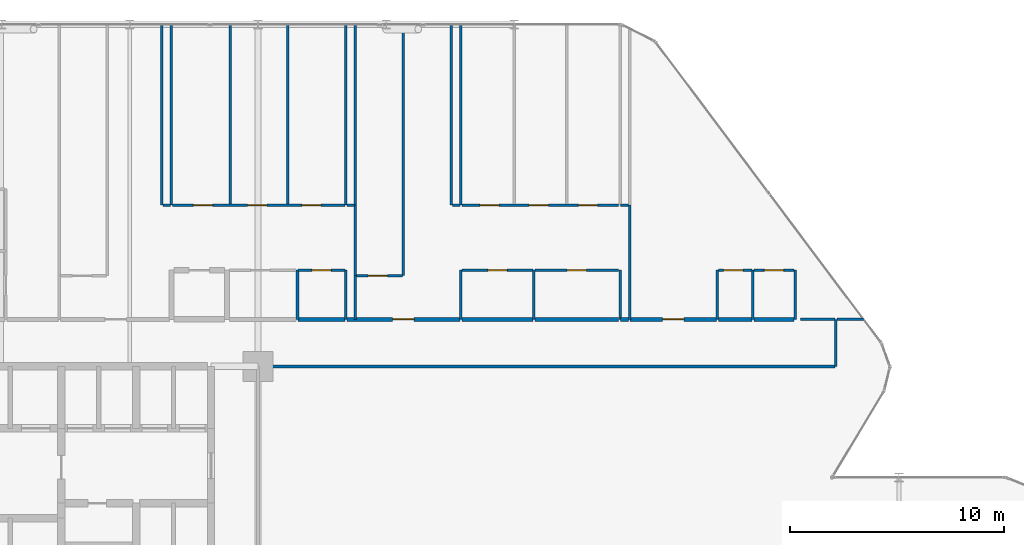
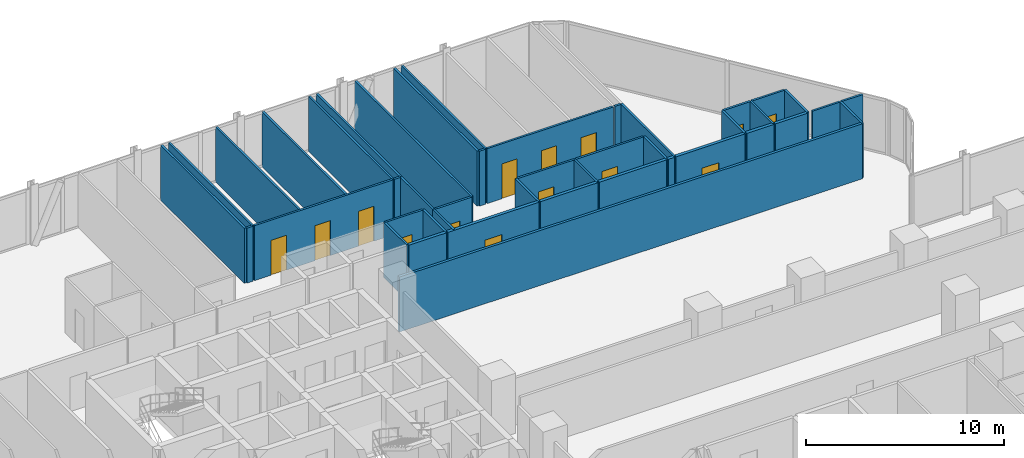
# One storey, part 31 of 33: 44 walls, 14 doors, 14 openings.
"""IFC4 building model written with IfcOpenShell, lengths in metres."""

from ifc_helpers import new_model, si_unit, direction, frame, frame_2d, origin, place, context, subcontext, project, spatial, rectangle, extrude, material, layer, layer_set, type_object, element, fill, save


model = new_model("IFC4")

# Units and contexts
model_context = context("Model", 3, precision=1e-05, world=origin(), true_north=direction((0.0, 1.0)))
body_context = subcontext(model_context, "Body", "Model", "MODEL_VIEW")
ifc_project = project(units=[si_unit("LENGTHUNIT", "METRE"), si_unit("AREAUNIT", "SQUARE_METRE"), si_unit("VOLUMEUNIT", "CUBIC_METRE"), si_unit("PLANEANGLEUNIT", "RADIAN"), si_unit("MASSUNIT", "GRAM", prefix="KILO")], contexts=[model_context])

# Site, building, storey
site_placement = place(None, origin())
site = spatial("IfcSite", under=ifc_project, at=site_placement, CompositionType="ELEMENT")
building_placement = place(site_placement, origin())
building = spatial("IfcBuilding", under=site, at=building_placement, Name="Keshet Zoharim Tower", CompositionType="ELEMENT")
storey_placement = place(building_placement, frame((0.0, 0.0, 35.10009765625)))
storey = spatial("IfcBuildingStorey", under=building, at=storey_placement, Name="L07", CompositionType="ELEMENT", Elevation=35.10009765625)

# Walls
ifc_material_1 = material(Name="Gypsum Plasterboard", Category="gypsum")
ifc_layer_1 = layer(ifc_material_1, 0.14990234375)
ifc_layer_set_1 = layer_set([ifc_layer_1], Name="Gypsum Plasterboard")
wall_type_1 = type_object("IfcWallType", Name="WL-CLIN-150", PredefinedType="STANDARD", material=ifc_layer_set_1)
wall_1_placement = place(storey_placement, frame((33.070068359375, 37.89990234375, 0.0), z_axis=(0.0, 0.0, 1.0), x_axis=(1.0, 0.0, 0.0)))
element("IfcWall", 1, at=wall_1_placement, inside=storey, type_object=wall_type_1, Name="L07 Interior Wall 205", PredefinedType="STANDARD", context=body_context, shape_type="SweptSolid", body=[
    extrude(rectangle(XDim=26.934814453125, YDim=0.14990234375, at=frame_2d((13.46728515625, 0.0))), origin(), (0.0, 0.0, 1.0), 3.385009765625),
])
ifc_layer_2 = layer(ifc_material_1, 0.179931640625)
ifc_layer_set_2 = layer_set([ifc_layer_2], Name="Gypsum Plasterboard")
wall_type_2 = type_object("IfcWallType", Name="WL-CORR-180", PredefinedType="STANDARD", material=ifc_layer_set_2)
wall_2_placement = place(storey_placement, frame((34.873046875, 40.10009765625, 0.0), z_axis=(0.0, 0.0, 1.0), x_axis=(1.0, 0.0, 0.0)))
element("IfcWall", 2, at=wall_2_placement, inside=storey, type_object=wall_type_2, Name="L07 Interior Wall 214", PredefinedType="STANDARD", context=body_context, shape_type="SweptSolid", body=[
    extrude(rectangle(XDim=2.19189453125, YDim=0.179931640625, at=frame_2d((1.095947265625, 0.0))), origin(), (0.0, 0.0, 1.0), 3.385009765625),
])

# Wall, opening, door
wall_3_placement = place(storey_placement, frame((37.155029296875, 40.10009765625, 0.0), z_axis=(0.0, 0.0, 1.0), x_axis=(1.0, 0.0, 0.0)))
wall_3 = element("IfcWall", 3, at=wall_3_placement, inside=storey, type_object=wall_type_2, Name="L07 Interior Wall 215", PredefinedType="STANDARD", context=body_context, shape_type="SweptSolid", body=[
    extrude(rectangle(XDim=5.300048828125, YDim=0.179931640625, at=frame_2d((2.64990234375, 0.0))), origin(), (0.0, 0.0, 1.0), 3.385009765625),
])
opening_1_placement = place(wall_3_placement, frame((2.14990234375, 0.0, 0.0)))
opening_1 = element("IfcOpeningElement", 4, at=opening_1_placement, cuts=wall_3, Name="Opening D-F310", PredefinedType="OPENING", context=body_context, shape_type="SweptSolid", body=[
    extrude(rectangle(XDim=1.0, YDim=2.14990234375, at=frame_2d((0.5, 1.074951171875))), frame((0.0, 0.10009765625, 0.0), z_axis=(0.0, -1.0, 0.0), x_axis=(1.0, 0.0, 0.0)), (0.0, 0.0, 1.0), 0.199951171875),
])
ifc_material_2 = material(Name="Hardwood Timber", Category="wood")
door_type_1 = type_object("IfcDoorType", Name="DR-FD30-100", OperationType="NOTDEFINED", PredefinedType="DOOR", material=ifc_material_2)
door_1_placement = place(opening_1_placement, origin())
door_1 = element("IfcDoor", 5, at=door_1_placement, inside=storey, type_object=door_type_1, Name="Apartment 0707 Entrance Door", OperationType="SINGLE_SWING_LEFT", OverallHeight=2.14990234375, OverallWidth=1.0, PredefinedType="DOOR", context=body_context, shape_type="SweptSolid", body=[
    extrude(rectangle(XDim=1.0, YDim=2.14990234375, at=frame_2d((0.5, 1.074951171875))), frame((0.0, 0.02490234375, 0.0), z_axis=(0.0, -1.0, 0.0), x_axis=(1.0, 0.0, 0.0)), (0.0, 0.0, 1.0), 0.050048828125),
])
fill(opening_1, door_1)

# Walls
wall_4_placement = place(storey_placement, frame((42.544921875, 40.10009765625, 0.0), z_axis=(0.0, 0.0, 1.0), x_axis=(1.0, 0.0, 0.0)))
element("IfcWall", 6, at=wall_4_placement, inside=storey, type_object=wall_type_2, Name="L07 Interior Wall 216", PredefinedType="STANDARD", context=body_context, shape_type="SweptSolid", body=[
    extrude(rectangle(XDim=3.328125, YDim=0.179931640625, at=frame_2d((1.6640625, 0.0))), origin(), (0.0, 0.0, 1.0), 3.385009765625),
])
wall_5_placement = place(storey_placement, frame((45.962890625, 40.10009765625, 0.0), z_axis=(0.0, 0.0, 1.0), x_axis=(1.0, 0.0, 0.0)))
element("IfcWall", 7, at=wall_5_placement, inside=storey, type_object=wall_type_2, Name="L07 Interior Wall 217", PredefinedType="STANDARD", context=body_context, shape_type="SweptSolid", body=[
    extrude(rectangle(XDim=3.922119140625, YDim=0.179931640625, at=frame_2d((1.9609375, 0.0))), origin(), (0.0, 0.0, 1.0), 3.385009765625),
])
wall_6_placement = place(storey_placement, frame((49.97509765625, 40.10009765625, 0.0), z_axis=(0.0, 0.0, 1.0), x_axis=(1.0, 0.0, 0.0)))
element("IfcWall", 8, at=wall_6_placement, inside=storey, type_object=wall_type_2, Name="L07 Interior Wall 218", PredefinedType="STANDARD", context=body_context, shape_type="SweptSolid", body=[
    extrude(rectangle(XDim=0.35986328125, YDim=0.179931640625, at=frame_2d((0.179931640625, 0.0))), origin(), (0.0, 0.0, 1.0), 3.385009765625),
])

# Wall, opening, door
wall_7_placement = place(storey_placement, frame((50.425048828125, 40.10009765625, 0.0), z_axis=(0.0, 0.0, 1.0), x_axis=(1.0, 0.0, 0.0)))
wall_7 = element("IfcWall", 9, at=wall_7_placement, inside=storey, type_object=wall_type_2, Name="L07 Interior Wall 219", PredefinedType="STANDARD", context=body_context, shape_type="SweptSolid", body=[
    extrude(rectangle(XDim=4.030029296875, YDim=0.179931640625, at=frame_2d((2.01513671875, 0.0))), origin(), (0.0, 0.0, 1.0), 3.385009765625),
])
opening_2_placement = place(wall_7_placement, frame((1.514892578125, 0.0, 0.0)))
opening_2 = element("IfcOpeningElement", 10, at=opening_2_placement, cuts=wall_7, Name="Opening D-F310", PredefinedType="OPENING", context=body_context, shape_type="SweptSolid", body=[
    extrude(rectangle(XDim=1.0, YDim=2.14990234375, at=frame_2d((0.5, 1.074951171875))), frame((0.0, 0.10009765625, 0.0), z_axis=(0.0, -1.0, 0.0), x_axis=(1.0, 0.0, 0.0)), (0.0, 0.0, 1.0), 0.199951171875),
])
door_2_placement = place(opening_2_placement, origin())
door_2 = element("IfcDoor", 11, at=door_2_placement, inside=storey, type_object=door_type_1, Name="Apartment 0708 Entrance Door", OperationType="SINGLE_SWING_RIGHT", OverallHeight=2.14990234375, OverallWidth=1.0, PredefinedType="DOOR", context=body_context, shape_type="SweptSolid", body=[
    extrude(rectangle(XDim=1.0, YDim=2.14990234375, at=frame_2d((0.5, 1.074951171875))), frame((0.0, 0.02490234375, 0.0), z_axis=(0.0, -1.0, 0.0), x_axis=(1.0, 0.0, 0.0)), (0.0, 0.0, 1.0), 0.050048828125),
])
fill(opening_2, door_2)

# Walls
wall_8_placement = place(storey_placement, frame((54.544921875, 40.10009765625, 0.0), z_axis=(0.0, 0.0, 1.0), x_axis=(1.0, 0.0, 0.0)))
element("IfcWall", 12, at=wall_8_placement, inside=storey, type_object=wall_type_2, Name="L07 Interior Wall 220", PredefinedType="STANDARD", context=body_context, shape_type="SweptSolid", body=[
    extrude(rectangle(XDim=1.5830078125, YDim=0.179931640625, at=frame_2d((0.79150390625, 0.0))), origin(), (0.0, 0.0, 1.0), 3.385009765625),
])
wall_9_placement = place(storey_placement, frame((56.218017578125, 40.10009765625, 0.0), z_axis=(0.0, 0.0, 1.0), x_axis=(1.0, 0.0, 0.0)))
element("IfcWall", 13, at=wall_9_placement, inside=storey, type_object=wall_type_2, Name="L07 Interior Wall 221", PredefinedType="STANDARD", context=body_context, shape_type="SweptSolid", body=[
    extrude(rectangle(XDim=1.875, YDim=0.179931640625, at=frame_2d((0.9375, 0.0))), origin(), (0.0, 0.0, 1.0), 3.385009765625),
])
ifc_layer_3 = layer(ifc_material_1, 0.1201171875)
ifc_layer_set_3 = layer_set([ifc_layer_3], Name="Gypsum Plasterboard")
wall_type_3 = type_object("IfcWallType", Name="WL-PART-120", PredefinedType="PARTITIONING", material=ifc_layer_set_3)
for number, where, z_axis, x_axis, name in (
    (14, (28.5, 45.449951171875, 0.0), (0.0, 0.0, 1.0), (0.0, 1.0, 0.0), "L07 Interior Wall 053"),
    (15, (28.949951171875, 45.449951171875, 0.0), (0.0, 0.0, 1.0), (0.0, 1.0, 0.0), "L07 Interior Wall 056"),
    (16, (31.699951171875, 45.449951171875, 0.0), (0.0, 0.0, 1.0), (0.0, 1.0, 0.0), "L07 Interior Wall 069"),
    (17, (34.39990234375, 45.449951171875, 0.0), (0.0, 0.0, 1.0), (0.0, 1.0, 0.0), "L07 Interior Wall 074"),
    (18, (37.10009765625, 45.449951171875, 0.0), (0.0, 0.0, 1.0), (0.0, 1.0, 0.0), "L07 Interior Wall 079"),
):
    element("IfcWall", number, at=place(storey_placement, frame(where, z_axis=z_axis, x_axis=x_axis)), inside=storey, type_object=wall_type_3, Name=name, PredefinedType="PARTITIONING", context=body_context, shape_type="SweptSolid", body=[
        extrude(rectangle(XDim=8.43994140625, YDim=0.1201171875, at=frame_2d((4.219970703125, 0.0))), origin(), (0.0, 0.0, 1.0), 3.385009765625),
    ])
wall_10_placement = place(storey_placement, frame((37.550048828125, 40.10009765625, 0.0), z_axis=(0.0, 0.0, 1.0), x_axis=(0.0, 1.0, 0.0)))
element("IfcWall", 19, at=wall_10_placement, inside=storey, type_object=wall_type_3, Name="L07 Interior Wall 080", PredefinedType="PARTITIONING", context=body_context, shape_type="SweptSolid", body=[
    extrude(rectangle(XDim=2.0498046875, YDim=0.1201171875, at=frame_2d((1.02490234375, 0.0))), origin(), (0.0, 0.0, 1.0), 3.385009765625),
])
wall_11_placement = place(storey_placement, frame((37.550048828125, 42.14990234375, 0.0), z_axis=(0.0, 0.0, 1.0), x_axis=(0.0, 1.0, 0.0)))
element("IfcWall", 20, at=wall_11_placement, inside=storey, type_object=wall_type_3, Name="L07 Interior Wall 081", PredefinedType="PARTITIONING", context=body_context, shape_type="SweptSolid", body=[
    extrude(rectangle(XDim=3.300048828125, YDim=0.1201171875, at=frame_2d((1.64990234375, 0.0))), origin(), (0.0, 0.0, 1.0), 3.385009765625),
])
wall_12_placement = place(storey_placement, frame((37.550048828125, 45.449951171875, 0.0), z_axis=(0.0, 0.0, 1.0), x_axis=(0.0, 1.0, 0.0)))
element("IfcWall", 21, at=wall_12_placement, inside=storey, type_object=wall_type_3, Name="L07 Interior Wall 082", PredefinedType="PARTITIONING", context=body_context, shape_type="SweptSolid", body=[
    extrude(rectangle(XDim=8.43994140625, YDim=0.1201171875, at=frame_2d((4.219970703125, 0.0))), origin(), (0.0, 0.0, 1.0), 3.385009765625),
])
wall_13_placement = place(storey_placement, frame((39.800048828125, 42.14990234375, 0.0), z_axis=(0.0, 0.0, 1.0), x_axis=(0.0, 1.0, 0.0)))
element("IfcWall", 22, at=wall_13_placement, inside=storey, type_object=wall_type_3, Name="L07 Interior Wall 088", PredefinedType="PARTITIONING", context=body_context, shape_type="SweptSolid", body=[
    extrude(rectangle(XDim=11.739990234375, YDim=0.1201171875, at=frame_2d((5.8701171875, 0.0))), origin(), (0.0, 0.0, 1.0), 3.385009765625),
])
wall_14_placement = place(storey_placement, frame((42.050048828125, 45.449951171875, 0.0), z_axis=(0.0, 0.0, 1.0), x_axis=(0.0, 1.0, 0.0)))
element("IfcWall", 23, at=wall_14_placement, inside=storey, type_object=wall_type_3, Name="L07 Interior Wall 090", PredefinedType="PARTITIONING", context=body_context, shape_type="SweptSolid", body=[
    extrude(rectangle(XDim=8.43994140625, YDim=0.1201171875, at=frame_2d((4.219970703125, 0.0))), origin(), (0.0, 0.0, 1.0), 3.385009765625),
])
wall_15_placement = place(storey_placement, frame((42.5, 40.10009765625, 0.0), z_axis=(0.0, 0.0, 1.0), x_axis=(0.0, 1.0, 0.0)))
element("IfcWall", 24, at=wall_15_placement, inside=storey, type_object=wall_type_3, Name="L07 Interior Wall 091", PredefinedType="PARTITIONING", context=body_context, shape_type="SweptSolid", body=[
    extrude(rectangle(XDim=2.2998046875, YDim=0.1201171875, at=frame_2d((1.14990234375, 0.0))), origin(), (0.0, 0.0, 1.0), 3.385009765625),
])
wall_16_placement = place(storey_placement, frame((42.5, 45.449951171875, 0.0), z_axis=(0.0, 0.0, 1.0), x_axis=(0.0, 1.0, 0.0)))
element("IfcWall", 25, at=wall_16_placement, inside=storey, type_object=wall_type_3, Name="L07 Interior Wall 092", PredefinedType="PARTITIONING", context=body_context, shape_type="SweptSolid", body=[
    extrude(rectangle(XDim=8.43994140625, YDim=0.1201171875, at=frame_2d((4.219970703125, 0.0))), origin(), (0.0, 0.0, 1.0), 3.385009765625),
])
wall_17_placement = place(storey_placement, frame((50.39990234375, 40.10009765625, 0.0), z_axis=(0.0, 0.0, 1.0), x_axis=(0.0, 1.0, 0.0)))
element("IfcWall", 26, at=wall_17_placement, inside=storey, type_object=wall_type_3, Name="L07 Interior Wall 105", PredefinedType="PARTITIONING", context=body_context, shape_type="SweptSolid", body=[
    extrude(rectangle(XDim=5.349853515625, YDim=0.1201171875, at=frame_2d((2.6748046875, 0.0))), origin(), (0.0, 0.0, 1.0), 3.385009765625),
])
wall_18_placement = place(storey_placement, frame((54.5, 40.10009765625, 0.0), z_axis=(0.0, 0.0, 1.0), x_axis=(0.0, 1.0, 0.0)))
element("IfcWall", 27, at=wall_18_placement, inside=storey, type_object=wall_type_3, Name="L07 Interior Wall 110", PredefinedType="PARTITIONING", context=body_context, shape_type="SweptSolid", body=[
    extrude(rectangle(XDim=2.2998046875, YDim=0.1201171875, at=frame_2d((1.14990234375, 0.0))), origin(), (0.0, 0.0, 1.0), 3.385009765625),
])
wall_19_placement = place(storey_placement, frame((60.050048828125, 37.889892578125, 0.0), z_axis=(0.0, 0.0, 1.0), x_axis=(0.0, 1.0, 0.0)))
element("IfcWall", 28, at=wall_19_placement, inside=storey, type_object=wall_type_3, Name="L07 Interior Wall 120", PredefinedType="PARTITIONING", context=body_context, shape_type="SweptSolid", body=[
    extrude(rectangle(XDim=2.2001953125, YDim=0.1201171875, at=frame_2d((1.10009765625, 0.0))), origin(), (0.0, 0.0, 1.0), 3.385009765625),
])
wall_20_placement = place(storey_placement, frame((58.39990234375, 40.10009765625, 0.0), z_axis=(0.0, 0.0, 1.0), x_axis=(1.0, 0.0, 0.0)))
element("IfcWall", 29, at=wall_20_placement, inside=storey, type_object=wall_type_3, Name="L07 Interior Wall 222", PredefinedType="PARTITIONING", context=body_context, shape_type="SweptSolid", body=[
    extrude(rectangle(XDim=1.60498046875, YDim=0.1201171875, at=frame_2d((0.802490234375, 0.0))), origin(), (0.0, 0.0, 1.0), 3.385009765625),
])
wall_21_placement = place(storey_placement, frame((60.094970703125, 40.10009765625, 0.0), z_axis=(0.0, 0.0, 1.0), x_axis=(1.0, 0.0, 0.0)))
element("IfcWall", 30, at=wall_21_placement, inside=storey, type_object=wall_type_3, Name="L07 Interior Wall 223", PredefinedType="PARTITIONING", context=body_context, shape_type="SweptSolid", body=[
    extrude(rectangle(XDim=1.2451171875, YDim=0.1201171875, at=frame_2d((0.62255859375, 0.0))), origin(), (0.0, 0.0, 1.0), 3.385009765625),
])

# Wall, opening, door
wall_22_placement = place(storey_placement, frame((37.60498046875, 42.14990234375, 0.0), z_axis=(0.0, 0.0, 1.0), x_axis=(1.0, 0.0, 0.0)))
wall_22 = element("IfcWall", 31, at=wall_22_placement, inside=storey, type_object=wall_type_3, Name="L07 Interior Wall 225", PredefinedType="PARTITIONING", context=body_context, shape_type="SweptSolid", body=[
    extrude(rectangle(XDim=2.159912109375, YDim=0.1201171875, at=frame_2d((1.080078125, 0.0))), origin(), (0.0, 0.0, 1.0), 3.385009765625),
])
opening_3_placement = place(wall_22_placement, frame((0.552978515625, 0.0, 0.0)))
opening_3 = element("IfcOpeningElement", 32, at=opening_3_placement, cuts=wall_22, Name="Opening D-IN90", PredefinedType="OPENING", context=body_context, shape_type="SweptSolid", body=[
    extrude(rectangle(XDim=0.89990234375, YDim=2.14990234375, at=frame_2d((0.449951171875, 1.074951171875))), frame((0.0, 0.070068359375, 0.0), z_axis=(0.0, -1.0, 0.0), x_axis=(1.0, 0.0, 0.0)), (0.0, 0.0, 1.0), 0.14013671875),
])
door_type_2 = type_object("IfcDoorType", Name="DR-INT-090", OperationType="NOTDEFINED", PredefinedType="DOOR", material=ifc_material_2)
door_3_placement = place(opening_3_placement, origin())
door_3 = element("IfcDoor", 33, at=door_3_placement, inside=storey, type_object=door_type_2, Name="Apartment 0707 Formal Dining Room Door", OperationType="SINGLE_SWING_RIGHT", OverallHeight=2.14990234375, OverallWidth=0.89990234375, PredefinedType="DOOR", context=body_context, shape_type="SweptSolid", body=[
    extrude(rectangle(XDim=0.89990234375, YDim=2.14990234375, at=frame_2d((0.449951171875, 1.074951171875))), frame((0.0, 0.02490234375, 0.0), z_axis=(0.0, -1.0, 0.0), x_axis=(1.0, 0.0, 0.0)), (0.0, 0.0, 1.0), 0.050048828125),
])
fill(opening_3, door_3)

wall_23_placement = place(storey_placement, frame((42.544921875, 42.39990234375, 0.0), z_axis=(0.0, 0.0, 1.0), x_axis=(1.0, 0.0, 0.0)))
wall_23 = element("IfcWall", 34, at=wall_23_placement, inside=storey, type_object=wall_type_3, Name="L07 Interior Wall 229", PredefinedType="PARTITIONING", context=body_context, shape_type="SweptSolid", body=[
    extrude(rectangle(XDim=3.328125, YDim=0.1201171875, at=frame_2d((1.6640625, 0.0))), origin(), (0.0, 0.0, 1.0), 3.385009765625),
])
opening_4_placement = place(wall_23_placement, frame((1.214111328125, 0.0, 0.0)))
opening_4 = element("IfcOpeningElement", 35, at=opening_4_placement, cuts=wall_23, Name="Opening D-IN90", PredefinedType="OPENING", context=body_context, shape_type="SweptSolid", body=[
    extrude(rectangle(XDim=0.89990234375, YDim=2.14990234375, at=frame_2d((0.449951171875, 1.074951171875))), frame((0.0, 0.070068359375, 0.0), z_axis=(0.0, -1.0, 0.0), x_axis=(1.0, 0.0, 0.0)), (0.0, 0.0, 1.0), 0.14013671875),
])
door_4_placement = place(opening_4_placement, origin())
door_4 = element("IfcDoor", 36, at=door_4_placement, inside=storey, type_object=door_type_2, Name="Apartment 0707 Kitchen Door", OperationType="SINGLE_SWING_RIGHT", OverallHeight=2.14990234375, OverallWidth=0.89990234375, PredefinedType="DOOR", context=body_context, shape_type="SweptSolid", body=[
    extrude(rectangle(XDim=0.89990234375, YDim=2.14990234375, at=frame_2d((0.449951171875, 1.074951171875))), frame((0.0, 0.02490234375, 0.0), z_axis=(0.0, -1.0, 0.0), x_axis=(1.0, 0.0, 0.0)), (0.0, 0.0, 1.0), 0.050048828125),
])
fill(opening_4, door_4)

wall_24_placement = place(storey_placement, frame((54.544921875, 42.39990234375, 0.0), z_axis=(0.0, 0.0, 1.0), x_axis=(1.0, 0.0, 0.0)))
wall_24 = element("IfcWall", 37, at=wall_24_placement, inside=storey, type_object=wall_type_3, Name="L07 Interior Wall 231", PredefinedType="PARTITIONING", context=body_context, shape_type="SweptSolid", body=[
    extrude(rectangle(XDim=1.5830078125, YDim=0.1201171875, at=frame_2d((0.79150390625, 0.0))), origin(), (0.0, 0.0, 1.0), 3.385009765625),
])
opening_5_placement = place(wall_24_placement, frame((0.2490234375, 0.0, 0.0)))
opening_5 = element("IfcOpeningElement", 38, at=opening_5_placement, cuts=wall_24, Name="Opening D-IN90", PredefinedType="OPENING", context=body_context, shape_type="SweptSolid", body=[
    extrude(rectangle(XDim=0.89990234375, YDim=2.14990234375, at=frame_2d((0.449951171875, 1.074951171875))), frame((0.0, 0.070068359375, 0.0), z_axis=(0.0, -1.0, 0.0), x_axis=(1.0, 0.0, 0.0)), (0.0, 0.0, 1.0), 0.14013671875),
])
door_5_placement = place(opening_5_placement, origin())
door_5 = element("IfcDoor", 39, at=door_5_placement, inside=storey, type_object=door_type_2, Name="Apartment 0708 Kitchen Door", OperationType="SINGLE_SWING_RIGHT", OverallHeight=2.14990234375, OverallWidth=0.89990234375, PredefinedType="DOOR", context=body_context, shape_type="SweptSolid", body=[
    extrude(rectangle(XDim=0.89990234375, YDim=2.14990234375, at=frame_2d((0.449951171875, 1.074951171875))), frame((0.0, 0.02490234375, 0.0), z_axis=(0.0, -1.0, 0.0), x_axis=(1.0, 0.0, 0.0)), (0.0, 0.0, 1.0), 0.050048828125),
])
fill(opening_5, door_5)

# Wall
wall_25_placement = place(storey_placement, frame((28.554931640625, 45.449951171875, 0.0), z_axis=(0.0, 0.0, 1.0), x_axis=(1.0, 0.0, 0.0)))
element("IfcWall", 40, at=wall_25_placement, inside=storey, type_object=wall_type_3, Name="L07 Interior Wall 234", PredefinedType="PARTITIONING", context=body_context, shape_type="SweptSolid", body=[
    extrude(rectangle(XDim=0.360107421875, YDim=0.1201171875, at=frame_2d((0.18017578125, 0.0))), origin(), (0.0, 0.0, 1.0), 3.385009765625),
])

# Wall, openings, doors
wall_26_placement = place(storey_placement, frame((29.0048828125, 45.449951171875, 0.0), z_axis=(0.0, 0.0, 1.0), x_axis=(1.0, 0.0, 0.0)))
wall_26 = element("IfcWall", 41, at=wall_26_placement, inside=storey, type_object=wall_type_3, Name="L07 Interior Wall 235", PredefinedType="PARTITIONING", context=body_context, shape_type="SweptSolid", body=[
    extrude(rectangle(XDim=8.06005859375, YDim=0.1201171875, at=frame_2d((4.030029296875, 0.0))), origin(), (0.0, 0.0, 1.0), 3.385009765625),
])
opening_6_placement = place(wall_26_placement, frame((0.968017578125, 0.0, 0.0)))
opening_6 = element("IfcOpeningElement", 42, at=opening_6_placement, cuts=wall_26, Name="Opening D-IN90", PredefinedType="OPENING", context=body_context, shape_type="SweptSolid", body=[
    extrude(rectangle(XDim=0.89990234375, YDim=2.14990234375, at=frame_2d((0.449951171875, 1.074951171875))), frame((0.0, 0.070068359375, 0.0), z_axis=(0.0, -1.0, 0.0), x_axis=(1.0, 0.0, 0.0)), (0.0, 0.0, 1.0), 0.14013671875),
])
opening_7_placement = place(wall_26_placement, frame((3.507080078125, 0.0, 0.0)))
opening_7 = element("IfcOpeningElement", 43, at=opening_7_placement, cuts=wall_26, Name="Opening D-IN90", PredefinedType="OPENING", context=body_context, shape_type="SweptSolid", body=[
    extrude(rectangle(XDim=0.89990234375, YDim=2.14990234375, at=frame_2d((0.449951171875, 1.074951171875))), frame((0.0, 0.070068359375, 0.0), z_axis=(0.0, -1.0, 0.0), x_axis=(1.0, 0.0, 0.0)), (0.0, 0.0, 1.0), 0.14013671875),
])
opening_8_placement = place(wall_26_placement, frame((6.051025390625, 0.0, 0.0)))
opening_8 = element("IfcOpeningElement", 44, at=opening_8_placement, cuts=wall_26, Name="Opening D-IN90", PredefinedType="OPENING", context=body_context, shape_type="SweptSolid", body=[
    extrude(rectangle(XDim=0.89990234375, YDim=2.14990234375, at=frame_2d((0.449951171875, 1.074951171875))), frame((0.0, 0.070068359375, 0.0), z_axis=(0.0, -1.0, 0.0), x_axis=(1.0, 0.0, 0.0)), (0.0, 0.0, 1.0), 0.14013671875),
])
door_6_placement = place(opening_6_placement, origin())
door_6 = element("IfcDoor", 45, at=door_6_placement, inside=storey, type_object=door_type_2, Name="Apartment 0706 Bedroom 1 Door", OperationType="SINGLE_SWING_RIGHT", OverallHeight=2.14990234375, OverallWidth=0.89990234375, PredefinedType="DOOR", context=body_context, shape_type="SweptSolid", body=[
    extrude(rectangle(XDim=0.89990234375, YDim=2.14990234375, at=frame_2d((0.449951171875, 1.074951171875))), frame((0.0, 0.02490234375, 0.0), z_axis=(0.0, -1.0, 0.0), x_axis=(1.0, 0.0, 0.0)), (0.0, 0.0, 1.0), 0.050048828125),
])
fill(opening_6, door_6)
door_7_placement = place(opening_7_placement, origin())
door_7 = element("IfcDoor", 46, at=door_7_placement, inside=storey, type_object=door_type_2, Name="Apartment 0706 Bedroom 2 Door", OperationType="SINGLE_SWING_LEFT", OverallHeight=2.14990234375, OverallWidth=0.89990234375, PredefinedType="DOOR", context=body_context, shape_type="SweptSolid", body=[
    extrude(rectangle(XDim=0.89990234375, YDim=2.14990234375, at=frame_2d((0.449951171875, 1.074951171875))), frame((0.0, 0.02490234375, 0.0), z_axis=(0.0, -1.0, 0.0), x_axis=(1.0, 0.0, 0.0)), (0.0, 0.0, 1.0), 0.050048828125),
])
fill(opening_7, door_7)
door_8_placement = place(opening_8_placement, origin())
door_8 = element("IfcDoor", 47, at=door_8_placement, inside=storey, type_object=door_type_2, Name="Apartment 0706 Bedroom 3 Door", OperationType="SINGLE_SWING_RIGHT", OverallHeight=2.14990234375, OverallWidth=0.89990234375, PredefinedType="DOOR", context=body_context, shape_type="SweptSolid", body=[
    extrude(rectangle(XDim=0.89990234375, YDim=2.14990234375, at=frame_2d((0.449951171875, 1.074951171875))), frame((0.0, 0.02490234375, 0.0), z_axis=(0.0, -1.0, 0.0), x_axis=(1.0, 0.0, 0.0)), (0.0, 0.0, 1.0), 0.050048828125),
])
fill(opening_8, door_8)

# Walls
wall_27_placement = place(storey_placement, frame((37.155029296875, 45.449951171875, 0.0), z_axis=(0.0, 0.0, 1.0), x_axis=(1.0, 0.0, 0.0)))
element("IfcWall", 48, at=wall_27_placement, inside=storey, type_object=wall_type_3, Name="L07 Interior Wall 236", PredefinedType="PARTITIONING", context=body_context, shape_type="SweptSolid", body=[
    extrude(rectangle(XDim=0.35986328125, YDim=0.1201171875, at=frame_2d((0.179931640625, 0.0))), origin(), (0.0, 0.0, 1.0), 3.385009765625),
])
wall_28_placement = place(storey_placement, frame((42.094970703125, 45.449951171875, 0.0), z_axis=(0.0, 0.0, 1.0), x_axis=(1.0, 0.0, 0.0)))
element("IfcWall", 49, at=wall_28_placement, inside=storey, type_object=wall_type_3, Name="L07 Interior Wall 237", PredefinedType="PARTITIONING", context=body_context, shape_type="SweptSolid", body=[
    extrude(rectangle(XDim=0.360107421875, YDim=0.1201171875, at=frame_2d((0.18017578125, 0.0))), origin(), (0.0, 0.0, 1.0), 3.385009765625),
])

# Wall, openings, doors
wall_29_placement = place(storey_placement, frame((42.544921875, 45.449951171875, 0.0), z_axis=(0.0, 0.0, 1.0), x_axis=(1.0, 0.0, 0.0)))
wall_29 = element("IfcWall", 50, at=wall_29_placement, inside=storey, type_object=wall_type_3, Name="L07 Interior Wall 238", PredefinedType="PARTITIONING", context=body_context, shape_type="SweptSolid", body=[
    extrude(rectangle(XDim=7.340087890625, YDim=0.1201171875, at=frame_2d((3.669921875, 0.0))), origin(), (0.0, 0.0, 1.0), 3.385009765625),
])
opening_9_placement = place(wall_29_placement, frame((0.845947265625, 0.0, 0.0)))
opening_9 = element("IfcOpeningElement", 51, at=opening_9_placement, cuts=wall_29, Name="Opening D-IN90", PredefinedType="OPENING", context=body_context, shape_type="SweptSolid", body=[
    extrude(rectangle(XDim=0.89990234375, YDim=2.14990234375, at=frame_2d((0.449951171875, 1.074951171875))), frame((0.0, 0.070068359375, 0.0), z_axis=(0.0, -1.0, 0.0), x_axis=(1.0, 0.0, 0.0)), (0.0, 0.0, 1.0), 0.14013671875),
])
opening_10_placement = place(wall_29_placement, frame((3.14501953125, 0.0, 0.0)))
opening_10 = element("IfcOpeningElement", 52, at=opening_10_placement, cuts=wall_29, Name="Opening D-IN90", PredefinedType="OPENING", context=body_context, shape_type="SweptSolid", body=[
    extrude(rectangle(XDim=0.89990234375, YDim=2.14990234375, at=frame_2d((0.449951171875, 1.074951171875))), frame((0.0, 0.070068359375, 0.0), z_axis=(0.0, -1.0, 0.0), x_axis=(1.0, 0.0, 0.0)), (0.0, 0.0, 1.0), 0.14013671875),
])
opening_11_placement = place(wall_29_placement, frame((5.448974609375, 0.0, 0.0)))
opening_11 = element("IfcOpeningElement", 53, at=opening_11_placement, cuts=wall_29, Name="Opening D-IN90", PredefinedType="OPENING", context=body_context, shape_type="SweptSolid", body=[
    extrude(rectangle(XDim=0.89990234375, YDim=2.14990234375, at=frame_2d((0.449951171875, 1.074951171875))), frame((0.0, 0.070068359375, 0.0), z_axis=(0.0, -1.0, 0.0), x_axis=(1.0, 0.0, 0.0)), (0.0, 0.0, 1.0), 0.14013671875),
])
door_9_placement = place(opening_9_placement, origin())
door_9 = element("IfcDoor", 54, at=door_9_placement, inside=storey, type_object=door_type_2, Name="Apartment 0707 Bedroom 1 Door", OperationType="SINGLE_SWING_LEFT", OverallHeight=2.14990234375, OverallWidth=0.89990234375, PredefinedType="DOOR", context=body_context, shape_type="SweptSolid", body=[
    extrude(rectangle(XDim=0.89990234375, YDim=2.14990234375, at=frame_2d((0.449951171875, 1.074951171875))), frame((0.0, 0.02490234375, 0.0), z_axis=(0.0, -1.0, 0.0), x_axis=(1.0, 0.0, 0.0)), (0.0, 0.0, 1.0), 0.050048828125),
])
fill(opening_9, door_9)
door_10_placement = place(opening_10_placement, origin())
door_10 = element("IfcDoor", 55, at=door_10_placement, inside=storey, type_object=door_type_2, Name="Apartment 0707 Bedroom 2 Door", OperationType="SINGLE_SWING_RIGHT", OverallHeight=2.14990234375, OverallWidth=0.89990234375, PredefinedType="DOOR", context=body_context, shape_type="SweptSolid", body=[
    extrude(rectangle(XDim=0.89990234375, YDim=2.14990234375, at=frame_2d((0.449951171875, 1.074951171875))), frame((0.0, 0.02490234375, 0.0), z_axis=(0.0, -1.0, 0.0), x_axis=(1.0, 0.0, 0.0)), (0.0, 0.0, 1.0), 0.050048828125),
])
fill(opening_10, door_10)
door_11_placement = place(opening_11_placement, origin())
door_11 = element("IfcDoor", 56, at=door_11_placement, inside=storey, type_object=door_type_2, Name="Apartment 0707 Bedroom 3 Door", OperationType="SINGLE_SWING_LEFT", OverallHeight=2.14990234375, OverallWidth=0.89990234375, PredefinedType="DOOR", context=body_context, shape_type="SweptSolid", body=[
    extrude(rectangle(XDim=0.89990234375, YDim=2.14990234375, at=frame_2d((0.449951171875, 1.074951171875))), frame((0.0, 0.02490234375, 0.0), z_axis=(0.0, -1.0, 0.0), x_axis=(1.0, 0.0, 0.0)), (0.0, 0.0, 1.0), 0.050048828125),
])
fill(opening_11, door_11)

# Walls
wall_30_placement = place(storey_placement, frame((49.97509765625, 45.449951171875, 0.0), z_axis=(0.0, 0.0, 1.0), x_axis=(1.0, 0.0, 0.0)))
element("IfcWall", 57, at=wall_30_placement, inside=storey, type_object=wall_type_3, Name="L07 Interior Wall 239", PredefinedType="PARTITIONING", context=body_context, shape_type="SweptSolid", body=[
    extrude(rectangle(XDim=0.35986328125, YDim=0.1201171875, at=frame_2d((0.179931640625, 0.0))), origin(), (0.0, 0.0, 1.0), 3.385009765625),
])
ifc_layer_4 = layer(ifc_material_1, 0.1201171875)
ifc_layer_set_4 = layer_set([ifc_layer_4], Name="Gypsum Plasterboard")
wall_type_4 = type_object("IfcWallType", Name="WL-WET-120", PredefinedType="PARTITIONING", material=ifc_layer_set_4)
for number, where, z_axis, x_axis, name in (
    (58, (34.85009765625, 40.10009765625, 0.0), (0.0, 0.0, 1.0), (0.0, 1.0, 0.0), "L07 Interior Wall 075"),
    (59, (37.10009765625, 40.10009765625, 0.0), (0.0, 0.0, 1.0), (0.0, 1.0, 0.0), "L07 Interior Wall 078"),
    (60, (45.89990234375, 40.10009765625, 0.0), (0.0, 0.0, 1.0), (0.0, 1.0, 0.0), "L07 Interior Wall 097"),
    (61, (49.949951171875, 40.10009765625, 0.0), (0.0, 0.0, 1.0), (0.0, 1.0, 0.0), "L07 Interior Wall 102"),
    (62, (56.14990234375, 40.10009765625, 0.0), (0.0, 0.0, 1.0), (0.0, 1.0, 0.0), "L07 Interior Wall 114"),
    (63, (58.14990234375, 40.10009765625, 0.0), (0.0, 0.0, 1.0), (0.0, 1.0, 0.0), "L07 Interior Wall 116"),
):
    element("IfcWall", number, at=place(storey_placement, frame(where, z_axis=z_axis, x_axis=x_axis)), inside=storey, type_object=wall_type_4, Name=name, PredefinedType="PARTITIONING", context=body_context, shape_type="SweptSolid", body=[
        extrude(rectangle(XDim=2.2998046875, YDim=0.1201171875, at=frame_2d((1.14990234375, 0.0))), origin(), (0.0, 0.0, 1.0), 3.385009765625),
    ])

# Wall, opening, door
wall_31_placement = place(storey_placement, frame((34.873046875, 42.39990234375, 0.0), z_axis=(0.0, 0.0, 1.0), x_axis=(1.0, 0.0, 0.0)))
wall_31 = element("IfcWall", 64, at=wall_31_placement, inside=storey, type_object=wall_type_4, Name="L07 Interior Wall 228", PredefinedType="PARTITIONING", context=body_context, shape_type="SweptSolid", body=[
    extrude(rectangle(XDim=2.19189453125, YDim=0.1201171875, at=frame_2d((1.095947265625, 0.0))), origin(), (0.0, 0.0, 1.0), 3.385009765625),
])
opening_12_placement = place(wall_31_placement, frame((0.64599609375, 0.0, 0.0)))
opening_12 = element("IfcOpeningElement", 65, at=opening_12_placement, cuts=wall_31, Name="Opening D-WT90", PredefinedType="OPENING", context=body_context, shape_type="SweptSolid", body=[
    extrude(rectangle(XDim=0.89990234375, YDim=2.10009765625, at=frame_2d((0.449951171875, 1.050048828125))), frame((0.0, 0.070068359375, 0.0), z_axis=(0.0, -1.0, 0.0), x_axis=(1.0, 0.0, 0.0)), (0.0, 0.0, 1.0), 0.14013671875),
])
door_type_3 = type_object("IfcDoorType", Name="DR-WET-090", OperationType="NOTDEFINED", PredefinedType="DOOR", material=ifc_material_2)
door_12_placement = place(opening_12_placement, origin())
door_12 = element("IfcDoor", 66, at=door_12_placement, inside=storey, type_object=door_type_3, Name="Apartment 0706 Bathroom Door", OperationType="SINGLE_SWING_LEFT", OverallHeight=2.10009765625, OverallWidth=0.89990234375, PredefinedType="DOOR", context=body_context, shape_type="SweptSolid", body=[
    extrude(rectangle(XDim=0.89990234375, YDim=2.10009765625, at=frame_2d((0.449951171875, 1.050048828125))), frame((0.0, 0.02490234375, 0.0), z_axis=(0.0, -1.0, 0.0), x_axis=(1.0, 0.0, 0.0)), (0.0, 0.0, 1.0), 0.050048828125),
])
fill(opening_12, door_12)

wall_32_placement = place(storey_placement, frame((45.962890625, 42.39990234375, 0.0), z_axis=(0.0, 0.0, 1.0), x_axis=(1.0, 0.0, 0.0)))
wall_32 = element("IfcWall", 67, at=wall_32_placement, inside=storey, type_object=wall_type_4, Name="L07 Interior Wall 230", PredefinedType="PARTITIONING", context=body_context, shape_type="SweptSolid", body=[
    extrude(rectangle(XDim=3.922119140625, YDim=0.1201171875, at=frame_2d((1.9609375, 0.0))), origin(), (0.0, 0.0, 1.0), 3.385009765625),
])
opening_13_placement = place(wall_32_placement, frame((1.510986328125, 0.0, 0.0)))
opening_13 = element("IfcOpeningElement", 68, at=opening_13_placement, cuts=wall_32, Name="Opening D-WT90", PredefinedType="OPENING", context=body_context, shape_type="SweptSolid", body=[
    extrude(rectangle(XDim=0.89990234375, YDim=2.10009765625, at=frame_2d((0.449951171875, 1.050048828125))), frame((0.0, 0.070068359375, 0.0), z_axis=(0.0, -1.0, 0.0), x_axis=(1.0, 0.0, 0.0)), (0.0, 0.0, 1.0), 0.14013671875),
])
door_13_placement = place(opening_13_placement, origin())
door_13 = element("IfcDoor", 69, at=door_13_placement, inside=storey, type_object=door_type_3, Name="Apartment 0707 Bathroom Door", OperationType="SINGLE_SWING_LEFT", OverallHeight=2.10009765625, OverallWidth=0.89990234375, PredefinedType="DOOR", context=body_context, shape_type="SweptSolid", body=[
    extrude(rectangle(XDim=0.89990234375, YDim=2.10009765625, at=frame_2d((0.449951171875, 1.050048828125))), frame((0.0, 0.02490234375, 0.0), z_axis=(0.0, -1.0, 0.0), x_axis=(1.0, 0.0, 0.0)), (0.0, 0.0, 1.0), 0.050048828125),
])
fill(opening_13, door_13)

wall_33_placement = place(storey_placement, frame((56.218017578125, 42.39990234375, 0.0), z_axis=(0.0, 0.0, 1.0), x_axis=(1.0, 0.0, 0.0)))
wall_33 = element("IfcWall", 70, at=wall_33_placement, inside=storey, type_object=wall_type_4, Name="L07 Interior Wall 232", PredefinedType="PARTITIONING", context=body_context, shape_type="SweptSolid", body=[
    extrude(rectangle(XDim=1.875, YDim=0.1201171875, at=frame_2d((0.9375, 0.0))), origin(), (0.0, 0.0, 1.0), 3.385009765625),
])
opening_14_placement = place(wall_33_placement, frame((0.488037109375, 0.0, 0.0)))
opening_14 = element("IfcOpeningElement", 71, at=opening_14_placement, cuts=wall_33, Name="Opening D-WT90", PredefinedType="OPENING", context=body_context, shape_type="SweptSolid", body=[
    extrude(rectangle(XDim=0.89990234375, YDim=2.10009765625, at=frame_2d((0.449951171875, 1.050048828125))), frame((0.0, 0.070068359375, 0.0), z_axis=(0.0, -1.0, 0.0), x_axis=(1.0, 0.0, 0.0)), (0.0, 0.0, 1.0), 0.14013671875),
])
door_14_placement = place(opening_14_placement, origin())
door_14 = element("IfcDoor", 72, at=door_14_placement, inside=storey, type_object=door_type_3, Name="Apartment 0708 Bathroom Door", OperationType="SINGLE_SWING_LEFT", OverallHeight=2.10009765625, OverallWidth=0.89990234375, PredefinedType="DOOR", context=body_context, shape_type="SweptSolid", body=[
    extrude(rectangle(XDim=0.89990234375, YDim=2.10009765625, at=frame_2d((0.449951171875, 1.050048828125))), frame((0.0, 0.02490234375, 0.0), z_axis=(0.0, -1.0, 0.0), x_axis=(1.0, 0.0, 0.0)), (0.0, 0.0, 1.0), 0.050048828125),
])
fill(opening_14, door_14)

save(model, "model.ifc")
